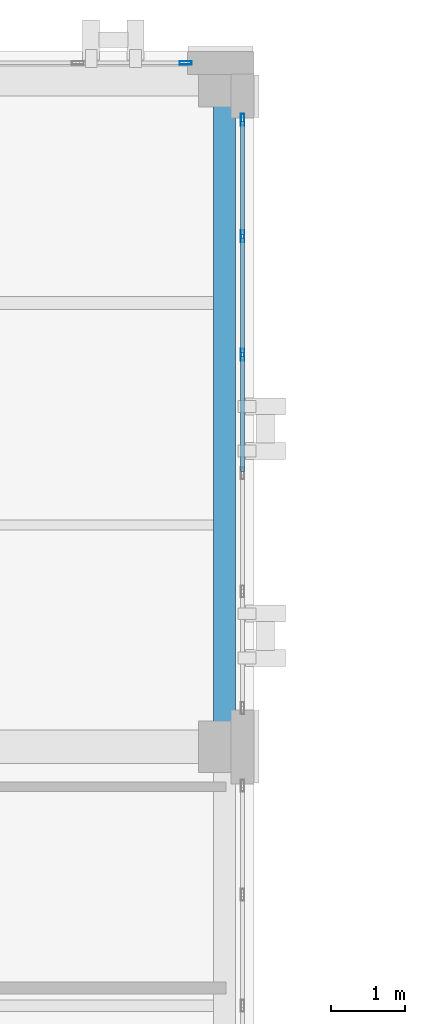
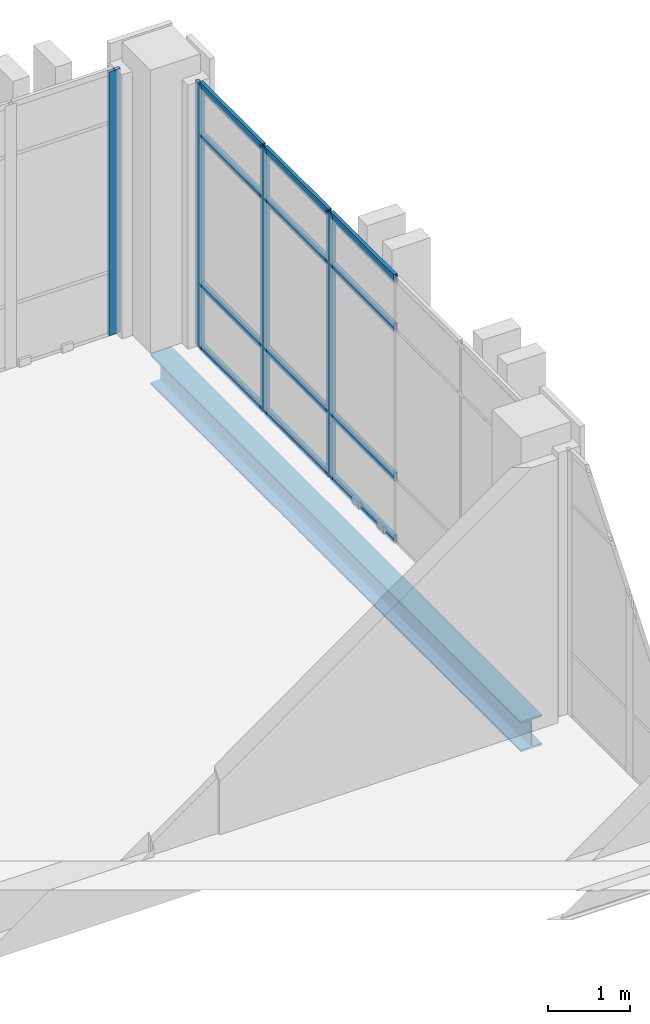
# One storey, part 114 of 193: 16 members, 1 beam, 2 elements without a shape of their own.
"""IFC4 building model written with IfcOpenShell, lengths in metres."""

from ifc_helpers import new_model, si_unit, direction, frame, origin, origin_2d, place, context, subcontext, project, spatial, hollow_rectangle, i_section, extrude, material, layer, layer_set, material_profile, profile_set, type_object, element, aggregate, save


model = new_model("IFC4")

# Units and contexts
model_context = context("Model", 3, precision=1e-05, world=origin(), true_north=direction((0.0, 1.0)))
body_context = subcontext(model_context, "Body", "Model", "MODEL_VIEW")
ifc_project = project(units=[si_unit("LENGTHUNIT", "METRE"), si_unit("AREAUNIT", "SQUARE_METRE"), si_unit("VOLUMEUNIT", "CUBIC_METRE"), si_unit("PLANEANGLEUNIT", "RADIAN"), si_unit("MASSUNIT", "GRAM", prefix="KILO")], contexts=[model_context])

# Site, building, storey
site_placement = place(None, origin())
site = spatial("IfcSite", under=ifc_project, at=site_placement, CompositionType="ELEMENT")
building_placement = place(site_placement, origin())
building = spatial("IfcBuilding", under=site, at=building_placement, Name="Qalavern Law Courts", CompositionType="ELEMENT")
storey_placement = place(building_placement, frame((0.0, 0.0, 10.199951171875)))
storey = spatial("IfcBuildingStorey", under=building, at=storey_placement, Name="L02", CompositionType="ELEMENT", Elevation=10.199951171875)

# Curtain wall, members
ifc_material_1 = material(Name="Anodised aluminium and insulated glazing", Category="aluminium")
ifc_layer = layer(ifc_material_1, 0.166015625)
ifc_layer_set = layer_set([ifc_layer], Name="Anodised aluminium and insulated glazing")
curtain_wall_type = type_object("IfcCurtainWallType", Name="ENV-CW-LIB", PredefinedType="USERDEFINED", material=ifc_layer_set)
curtain_wall_1_placement = place(storey_placement, origin())
curtain_wall_1 = element("IfcCurtainWall", 1, at=curtain_wall_1_placement, inside=storey, type_object=curtain_wall_type, Name="V5 unitised curtain wall L02 east 2", ObjectType="UNITISED CURTAIN WALL", PredefinedType="USERDEFINED")
ifc_material_2 = material(Name="Anodised aluminium", Category="aluminium")
ifc_material_profile_1 = material_profile(ifc_material_2, hollow_rectangle(XDim=0.048095703125, YDim=0.159912109375, WallThickness=0.00390625, at=origin_2d()), Name="ALU MULLION 48x160")
ifc_profile_set_1 = profile_set([ifc_material_profile_1], Name="Anodised aluminium")
member_type_1 = type_object("IfcMemberType", Name="ENV-CWM-48x160", PredefinedType="MULLION", material=ifc_profile_set_1)
member_1_placement = place(storey_placement, frame((66.64501953125, 108.89990234375, 0.0), z_axis=(0.0, 0.0, 1.0), x_axis=(-1.0, 0.0, 0.0)))
member_1 = element("IfcMember", 2, at=member_1_placement, type_object=member_type_1, Name="CW-05 mullion 4", PredefinedType="MULLION", context=body_context, shape_type="SweptSolid", body=[
    extrude(hollow_rectangle(XDim=0.048095703125, YDim=0.159912109375, WallThickness=0.00390625, at=origin_2d()), origin(), (0.0, 0.0, 1.0), 3.9150390625),
])
member_2_placement = place(storey_placement, frame((66.64501953125, 110.5, 0.0), z_axis=(0.0, 0.0, 1.0), x_axis=(-1.0, 0.0, 0.0)))
member_2 = element("IfcMember", 3, at=member_2_placement, type_object=member_type_1, Name="CW-05 mullion 5", PredefinedType="MULLION", context=body_context, shape_type="SweptSolid", body=[
    extrude(hollow_rectangle(XDim=0.048095703125, YDim=0.159912109375, WallThickness=0.00390625, at=origin_2d()), origin(), (0.0, 0.0, 1.0), 3.9150390625),
])
member_3_placement = place(storey_placement, frame((66.64501953125, 112.075927734375, 0.0), z_axis=(0.0, 0.0, 1.0), x_axis=(-1.0, 0.0, 0.0)))
member_3 = element("IfcMember", 4, at=member_3_placement, type_object=member_type_1, Name="CW-05 mullion 6", PredefinedType="MULLION", context=body_context, shape_type="SweptSolid", body=[
    extrude(hollow_rectangle(XDim=0.048095703125, YDim=0.159912109375, WallThickness=0.00390625, at=origin_2d()), origin(), (0.0, 0.0, 1.0), 3.9150390625),
])

# Curtain wall, member
curtain_wall_2_placement = place(storey_placement, origin())
curtain_wall_2 = element("IfcCurtainWall", 5, at=curtain_wall_2_placement, inside=storey, type_object=curtain_wall_type, Name="V5 unitised curtain wall L02 north 1", ObjectType="UNITISED CURTAIN WALL", PredefinedType="USERDEFINED")
member_4_placement = place(storey_placement, frame((65.8759765625, 112.844970703125, 0.0), z_axis=(0.0, 0.0, 1.0), x_axis=(0.0, -1.0, 0.0)))
member_4 = element("IfcMember", 6, at=member_4_placement, type_object=member_type_1, Name="CW-05 mullion 1", PredefinedType="MULLION", context=body_context, shape_type="SweptSolid", body=[
    extrude(hollow_rectangle(XDim=0.048095703125, YDim=0.159912109375, WallThickness=0.00390625, at=origin_2d()), origin(), (0.0, 0.0, 1.0), 3.9150390625),
])
aggregate(curtain_wall_2, [member_4])

# Member
ifc_material_profile_2 = material_profile(ifc_material_2, hollow_rectangle(XDim=0.048095703125, YDim=0.1201171875, WallThickness=0.00390625, at=origin_2d()), Name="ALU TRANSOM 48x120")
ifc_profile_set_2 = profile_set([ifc_material_profile_2], Name="Anodised aluminium")
member_type_2 = type_object("IfcMemberType", Name="ENV-CWT-48x120", PredefinedType="USERDEFINED", material=ifc_profile_set_2)
member_5_placement = place(storey_placement, frame((66.64501953125, 107.323974609375, 0.024169921875), z_axis=(0.0, 1.0, 0.0), x_axis=(-1.0, 0.0, 0.0)))
member_5 = element("IfcMember", 7, at=member_5_placement, type_object=member_type_2, Name="CW-05 transom 3.1", ObjectType="TRANSOM", PredefinedType="USERDEFINED", context=body_context, shape_type="SweptSolid", body=[
    extrude(hollow_rectangle(XDim=0.048095703125, YDim=0.1201171875, WallThickness=0.00390625, at=origin_2d()), origin(), (0.0, 0.0, 1.0), 1.552001953125),
])

member_6_placement = place(storey_placement, frame((66.64501953125, 107.323974609375, 0.949951171875), z_axis=(0.0, 1.0, 0.0), x_axis=(-1.0, 0.0, 0.0)))
member_6 = element("IfcMember", 8, at=member_6_placement, type_object=member_type_2, Name="CW-05 transom 3.2", ObjectType="TRANSOM", PredefinedType="USERDEFINED", context=body_context, shape_type="SweptSolid", body=[
    extrude(hollow_rectangle(XDim=0.048095703125, YDim=0.1201171875, WallThickness=0.00390625, at=origin_2d()), origin(), (0.0, 0.0, 1.0), 1.552001953125),
])

member_7_placement = place(storey_placement, frame((66.64501953125, 107.323974609375, 3.1650390625), z_axis=(0.0, 1.0, 0.0), x_axis=(-1.0, 0.0, 0.0)))
member_7 = element("IfcMember", 9, at=member_7_placement, type_object=member_type_2, Name="CW-05 transom 3.3", ObjectType="TRANSOM", PredefinedType="USERDEFINED", context=body_context, shape_type="SweptSolid", body=[
    extrude(hollow_rectangle(XDim=0.048095703125, YDim=0.1201171875, WallThickness=0.00390625, at=origin_2d()), origin(), (0.0, 0.0, 1.0), 1.552001953125),
])

member_8_placement = place(storey_placement, frame((66.64501953125, 107.323974609375, 3.89111328125), z_axis=(0.0, 1.0, 0.0), x_axis=(-1.0, 0.0, 0.0)))
member_8 = element("IfcMember", 10, at=member_8_placement, type_object=member_type_2, Name="CW-05 transom 3.4", ObjectType="TRANSOM", PredefinedType="USERDEFINED", context=body_context, shape_type="SweptSolid", body=[
    extrude(hollow_rectangle(XDim=0.048095703125, YDim=0.1201171875, WallThickness=0.00390625, at=origin_2d()), origin(), (0.0, 0.0, 1.0), 1.552001953125),
])

member_9_placement = place(storey_placement, frame((66.64501953125, 108.924072265625, 0.024169921875), z_axis=(0.0, 1.0, 0.0), x_axis=(-1.0, 0.0, 0.0)))
member_9 = element("IfcMember", 11, at=member_9_placement, type_object=member_type_2, Name="CW-05 transom 4.1", ObjectType="TRANSOM", PredefinedType="USERDEFINED", context=body_context, shape_type="SweptSolid", body=[
    extrude(hollow_rectangle(XDim=0.048095703125, YDim=0.1201171875, WallThickness=0.00390625, at=origin_2d()), origin(), (0.0, 0.0, 1.0), 1.552001953125),
])

member_10_placement = place(storey_placement, frame((66.64501953125, 108.924072265625, 0.949951171875), z_axis=(0.0, 1.0, 0.0), x_axis=(-1.0, 0.0, 0.0)))
member_10 = element("IfcMember", 12, at=member_10_placement, type_object=member_type_2, Name="CW-05 transom 4.2", ObjectType="TRANSOM", PredefinedType="USERDEFINED", context=body_context, shape_type="SweptSolid", body=[
    extrude(hollow_rectangle(XDim=0.048095703125, YDim=0.1201171875, WallThickness=0.00390625, at=origin_2d()), origin(), (0.0, 0.0, 1.0), 1.552001953125),
])

member_11_placement = place(storey_placement, frame((66.64501953125, 108.924072265625, 3.1650390625), z_axis=(0.0, 1.0, 0.0), x_axis=(-1.0, 0.0, 0.0)))
member_11 = element("IfcMember", 13, at=member_11_placement, type_object=member_type_2, Name="CW-05 transom 4.3", ObjectType="TRANSOM", PredefinedType="USERDEFINED", context=body_context, shape_type="SweptSolid", body=[
    extrude(hollow_rectangle(XDim=0.048095703125, YDim=0.1201171875, WallThickness=0.00390625, at=origin_2d()), origin(), (0.0, 0.0, 1.0), 1.552001953125),
])

member_12_placement = place(storey_placement, frame((66.64501953125, 108.924072265625, 3.89111328125), z_axis=(0.0, 1.0, 0.0), x_axis=(-1.0, 0.0, 0.0)))
member_12 = element("IfcMember", 14, at=member_12_placement, type_object=member_type_2, Name="CW-05 transom 4.4", ObjectType="TRANSOM", PredefinedType="USERDEFINED", context=body_context, shape_type="SweptSolid", body=[
    extrude(hollow_rectangle(XDim=0.048095703125, YDim=0.1201171875, WallThickness=0.00390625, at=origin_2d()), origin(), (0.0, 0.0, 1.0), 1.552001953125),
])

member_13_placement = place(storey_placement, frame((66.64501953125, 110.52392578125, 0.024169921875), z_axis=(0.0, 1.0, 0.0), x_axis=(-1.0, 0.0, 0.0)))
member_13 = element("IfcMember", 15, at=member_13_placement, type_object=member_type_2, Name="CW-05 transom 5.1", ObjectType="TRANSOM", PredefinedType="USERDEFINED", context=body_context, shape_type="SweptSolid", body=[
    extrude(hollow_rectangle(XDim=0.048095703125, YDim=0.1201171875, WallThickness=0.00390625, at=origin_2d()), origin(), (0.0, 0.0, 1.0), 1.528076171875),
])

member_14_placement = place(storey_placement, frame((66.64501953125, 110.52392578125, 0.949951171875), z_axis=(0.0, 1.0, 0.0), x_axis=(-1.0, 0.0, 0.0)))
member_14 = element("IfcMember", 16, at=member_14_placement, type_object=member_type_2, Name="CW-05 transom 5.2", ObjectType="TRANSOM", PredefinedType="USERDEFINED", context=body_context, shape_type="SweptSolid", body=[
    extrude(hollow_rectangle(XDim=0.048095703125, YDim=0.1201171875, WallThickness=0.00390625, at=origin_2d()), origin(), (0.0, 0.0, 1.0), 1.528076171875),
])

member_15_placement = place(storey_placement, frame((66.64501953125, 110.52392578125, 3.1650390625), z_axis=(0.0, 1.0, 0.0), x_axis=(-1.0, 0.0, 0.0)))
member_15 = element("IfcMember", 17, at=member_15_placement, type_object=member_type_2, Name="CW-05 transom 5.3", ObjectType="TRANSOM", PredefinedType="USERDEFINED", context=body_context, shape_type="SweptSolid", body=[
    extrude(hollow_rectangle(XDim=0.048095703125, YDim=0.1201171875, WallThickness=0.00390625, at=origin_2d()), origin(), (0.0, 0.0, 1.0), 1.528076171875),
])

member_16_placement = place(storey_placement, frame((66.64501953125, 110.52392578125, 3.89111328125), z_axis=(0.0, 1.0, 0.0), x_axis=(-1.0, 0.0, 0.0)))
member_16 = element("IfcMember", 18, at=member_16_placement, type_object=member_type_2, Name="CW-05 transom 5.4", ObjectType="TRANSOM", PredefinedType="USERDEFINED", context=body_context, shape_type="SweptSolid", body=[
    extrude(hollow_rectangle(XDim=0.048095703125, YDim=0.1201171875, WallThickness=0.00390625, at=origin_2d()), origin(), (0.0, 0.0, 1.0), 1.528076171875),
])

aggregate(curtain_wall_1, [member_1, member_2, member_3, member_5, member_6, member_7, member_8, member_9, member_10, member_11, member_12, member_13, member_14, member_15, member_16])

# Beam
ifc_material_3 = material(Name="Steel S355", Category="steel")
ifc_material_profile_3 = material_profile(ifc_material_3, i_section(OverallWidth=0.300048828125, OverallDepth=0.449951171875, WebThickness=0.013916015625, FlangeThickness=0.02587890625, FilletRadius=0.027099609375, at=origin_2d()), Name="HEB 450")
ifc_profile_set_3 = profile_set([ifc_material_profile_3], Name="Steel S355")
beam_type = type_object("IfcBeamType", Name="STR-SP-HEB450", PredefinedType="SPANDREL", material=ifc_profile_set_3)
beam_placement = place(storey_placement, frame((66.39990234375, 103.60009765625, -0.514892578125), z_axis=(0.0, 1.0, 0.0), x_axis=(-1.0, 0.0, 0.0)))
element("IfcBeam", 19, at=beam_placement, inside=storey, type_object=beam_type, Name="V5 Y-beam 9-2 L02", PredefinedType="SPANDREL", context=body_context, shape_type="SweptSolid", body=[
    extrude(i_section(OverallWidth=0.300048828125, OverallDepth=0.449951171875, WebThickness=0.013916015625, FlangeThickness=0.02587890625, FilletRadius=0.027099609375, at=origin_2d()), origin(), (0.0, 0.0, 1.0), 9.0),
])

save(model, "model.ifc")
